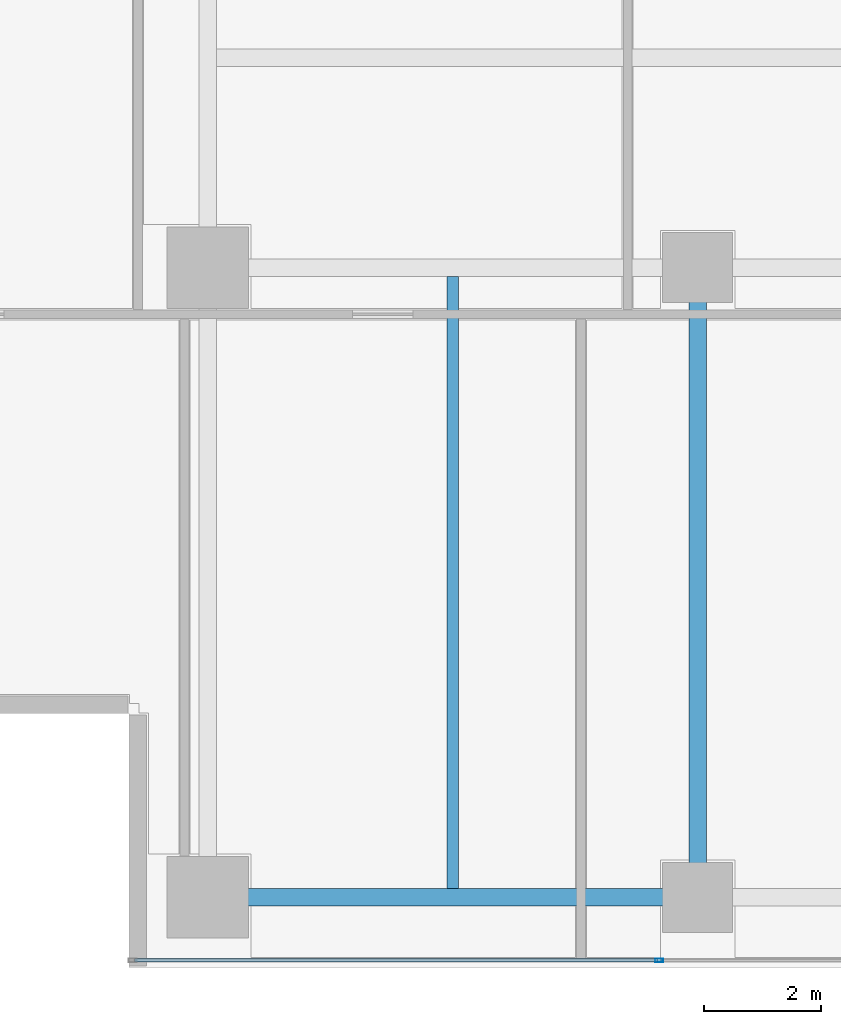
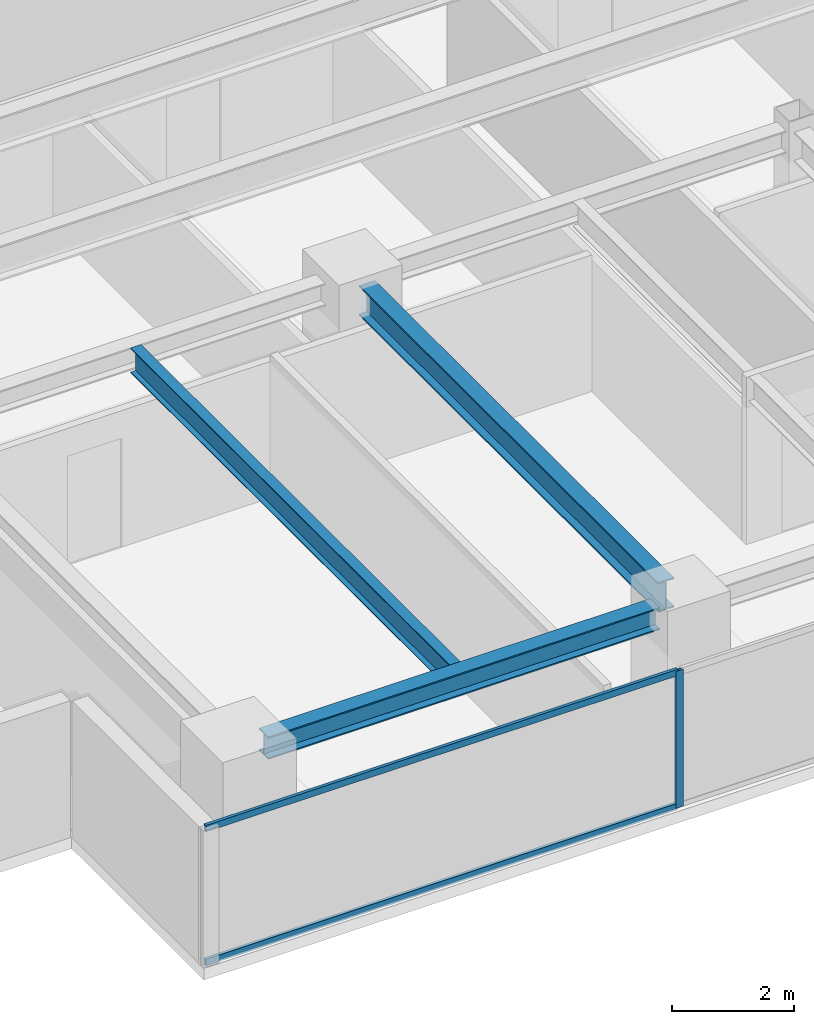
# One storey, part 3 of 25: 3 beams, 3 members, 1 element without a shape of its own.
"""IFC4 building model written with IfcOpenShell, lengths in metres."""

from ifc_helpers import new_model, si_unit, direction, frame, origin, origin_2d, place, context, subcontext, project, spatial, hollow_rectangle, i_section, extrude, source, transform, mapped, material, layer, layer_set, material_profile, profile_set, type_object, element, aggregate, save


model = new_model("IFC4")

# Units and contexts
model_context = context("Model", 3, precision=1e-05, world=origin(), true_north=direction((0.0, 1.0)))
body_context = subcontext(model_context, "Body", "Model", "MODEL_VIEW")
ifc_project = project(units=[si_unit("LENGTHUNIT", "METRE"), si_unit("AREAUNIT", "SQUARE_METRE"), si_unit("VOLUMEUNIT", "CUBIC_METRE"), si_unit("PLANEANGLEUNIT", "RADIAN"), si_unit("MASSUNIT", "GRAM", prefix="KILO")], contexts=[model_context])

# Site, building, storey
site_placement = place(None, origin())
site = spatial("IfcSite", under=ifc_project, at=site_placement, CompositionType="ELEMENT")
building_placement = place(site_placement, origin())
building = spatial("IfcBuilding", under=site, at=building_placement, Name="Sumidabori Civic Tower", CompositionType="ELEMENT")
storey_placement = place(building_placement, frame((0.0, 0.0, 246.800048828125)))
storey = spatial("IfcBuildingStorey", under=building, at=storey_placement, Name="L64", CompositionType="ELEMENT", Elevation=246.800048828125)

# Beams
ifc_material_1 = material(Name="Steel SN490", Category="steel")
ifc_material_profile_1 = material_profile(ifc_material_1, i_section(OverallWidth=0.300048828125, OverallDepth=0.60009765625, WebThickness=0.015380859375, FlangeThickness=0.030029296875, at=origin_2d()), Name="HE 600 B")
ifc_profile_set_1 = profile_set([ifc_material_profile_1], Name="Steel SN490")
beam_type_1 = type_object("IfcBeamType", Name="BM-GIRD-600", PredefinedType="BEAM", material=ifc_profile_set_1)
shared_shape_1 = source(origin(), body_context, "Body", "SweptSolid", [
    extrude(i_section(OverallWidth=0.300048828125, OverallDepth=0.60009765625, WebThickness=0.015380859375, FlangeThickness=0.030029296875, at=origin_2d()), origin(), (0.0, 0.0, 1.0), 9.840087890625),
])
beam_1_placement = place(storey_placement, frame((-8.39990234375, -10.320068359375, 3.070068359375), z_axis=(0.0, 1.0, 0.0), x_axis=(-1.0, 0.0, 0.0)))
element("IfcBeam", 1, at=beam_1_placement, inside=storey, type_object=beam_type_1, Name="Primary Girder L64 GY-12", PredefinedType="BEAM", context=body_context, shape_type="MappedRepresentation", body=[
    mapped(shared_shape_1, transform((0.0, 0.0, 0.0), x_axis=(1.0, 0.0, 0.0), y_axis=(0.0, 1.0, 0.0), z_axis=(0.0, 0.0, 1.0), scale=1.0)),
])
ifc_material_profile_2 = material_profile(ifc_material_1, i_section(OverallWidth=0.300048828125, OverallDepth=0.449951171875, WebThickness=0.013916015625, FlangeThickness=0.02587890625, at=origin_2d()), Name="HE 450 B")
ifc_profile_set_2 = profile_set([ifc_material_profile_2], Name="Steel SN490")
beam_type_2 = type_object("IfcBeamType", Name="BM-GIRD-450", PredefinedType="BEAM", material=ifc_profile_set_2)
shared_shape_2 = source(origin(), body_context, "Body", "SweptSolid", [
    extrude(i_section(OverallWidth=0.300048828125, OverallDepth=0.449951171875, WebThickness=0.013916015625, FlangeThickness=0.02587890625, at=origin_2d()), origin(), (0.0, 0.0, 1.0), 7.440185546875),
])
beam_2_placement = place(storey_placement, frame((-16.320068359375, -10.800048828125, 3.14501953125), z_axis=(1.0, 0.0, 0.0), x_axis=(0.0, 1.0, 0.0)))
element("IfcBeam", 2, at=beam_2_placement, inside=storey, type_object=beam_type_2, Name="Primary Girder L64 GX-01", PredefinedType="BEAM", context=body_context, shape_type="MappedRepresentation", body=[
    mapped(shared_shape_2, transform((0.0, 0.0, 0.0), x_axis=(1.0, 0.0, 0.0), y_axis=(0.0, 1.0, 0.0), z_axis=(0.0, 0.0, 1.0), scale=1.0)),
])
ifc_material_profile_3 = material_profile(ifc_material_1, i_section(OverallWidth=0.199951171875, OverallDepth=0.5, WebThickness=0.01025390625, FlangeThickness=0.01611328125, at=origin_2d()), Name="IPE 500")
ifc_profile_set_3 = profile_set([ifc_material_profile_3], Name="Steel SN490")
beam_type_3 = type_object("IfcBeamType", Name="BM-JST-500", PredefinedType="JOIST", material=ifc_profile_set_3)
shared_shape_3 = source(origin(), body_context, "Body", "SweptSolid", [
    extrude(i_section(OverallWidth=0.199951171875, OverallDepth=0.5, WebThickness=0.01025390625, FlangeThickness=0.01611328125, at=origin_2d()), origin(), (0.0, 0.0, 1.0), 10.5),
])
beam_3_placement = place(storey_placement, frame((-12.60009765625, -10.64990234375, 3.119873046875), z_axis=(0.0, 1.0, 0.0), x_axis=(-1.0, 0.0, 0.0)))
element("IfcBeam", 3, at=beam_3_placement, inside=storey, type_object=beam_type_3, Name="Upper Lens N-S Floor Joist L64 JSTV-20", PredefinedType="JOIST", context=body_context, shape_type="MappedRepresentation", body=[
    mapped(shared_shape_3, transform((0.0, 0.0, 0.0), x_axis=(1.0, 0.0, 0.0), y_axis=(0.0, 1.0, 0.0), z_axis=(0.0, 0.0, 1.0), scale=1.0)),
])

# Curtain wall, members
ifc_material_2 = material(Name="Anodised Bronze Aluminium AW-6063-T6", Category="aluminium")
ifc_layer = layer(ifc_material_2, 0.179931640625, Name="Anodised Bronze Aluminium AW-6063-T6")
ifc_layer_set = layer_set([ifc_layer], Name="Anodised Bronze Aluminium AW-6063-T6")
curtain_wall_type = type_object("IfcCurtainWallType", Name="CW-SYS-5", PredefinedType="NOTDEFINED", material=ifc_layer_set)
curtain_wall_placement = place(storey_placement, origin())
curtain_wall = element("IfcCurtainWall", 4, at=curtain_wall_placement, inside=storey, type_object=curtain_wall_type, Name="Curtain Wall CW:L64:R01", PredefinedType="NOTDEFINED")
ifc_material_profile_4 = material_profile(ifc_material_2, hollow_rectangle(XDim=0.06005859375, YDim=0.139892578125, WallThickness=0.0048828125, at=origin_2d()), Name="ALU MULLION 140x60")
ifc_profile_set_4 = profile_set([ifc_material_profile_4], Name="Anodised Bronze Aluminium AW-6063-T6")
member_type_1 = type_object("IfcMemberType", Name="CW-MUL-140", PredefinedType="MULLION", material=ifc_profile_set_4)
shared_shape_4 = source(origin(), body_context, "Body", "SweptSolid", [
    extrude(hollow_rectangle(XDim=0.06005859375, YDim=0.139892578125, WallThickness=0.0048828125, at=origin_2d()), origin(), (0.0, 0.0, 1.0), 2.75),
])
member_1_placement = place(storey_placement, frame((-9.06005859375, -11.8798828125, 0.0), z_axis=(0.0, 0.0, 1.0), x_axis=(0.0, 1.0, 0.0)))
member_1 = element("IfcMember", 5, at=member_1_placement, type_object=member_type_1, Name="CW-5 mullion 2", PredefinedType="MULLION", context=body_context, shape_type="MappedRepresentation", body=[
    mapped(shared_shape_4, transform((0.0, 0.0, 0.0), x_axis=(1.0, 0.0, 0.0), y_axis=(0.0, 1.0, 0.0), z_axis=(0.0, 0.0, 1.0), scale=1.0)),
])
ifc_material_profile_5 = material_profile(ifc_material_2, hollow_rectangle(XDim=0.06005859375, YDim=0.1298828125, WallThickness=0.0048828125, at=origin_2d()), Name="ALU TRANSOM 130x60")
ifc_profile_set_5 = profile_set([ifc_material_profile_5], Name="Anodised Bronze Aluminium AW-6063-T6")
member_type_2 = type_object("IfcMemberType", Name="CW-TRN-130", PredefinedType="USERDEFINED", material=ifc_profile_set_5)
shared_shape_5 = source(origin(), body_context, "Body", "SweptSolid", [
    extrude(hollow_rectangle(XDim=0.06005859375, YDim=0.1298828125, WallThickness=0.0048828125, at=origin_2d()), origin(), (0.0, 0.0, 1.0), 8.969970703125),
])
member_2_placement = place(storey_placement, frame((-18.06005859375, -11.8798828125, 0.030029296875), z_axis=(1.0, 0.0, 0.0), x_axis=(0.0, 1.0, 0.0)))
member_2 = element("IfcMember", 6, at=member_2_placement, type_object=member_type_2, Name="CW-5 transom 1.1", ObjectType="TRANSOM", PredefinedType="USERDEFINED", context=body_context, shape_type="MappedRepresentation", body=[
    mapped(shared_shape_5, transform((0.0, 0.0, 0.0), x_axis=(1.0, 0.0, 0.0), y_axis=(0.0, 1.0, 0.0), z_axis=(0.0, 0.0, 1.0), scale=1.0)),
])
member_3_placement = place(storey_placement, frame((-18.06005859375, -11.8798828125, 2.719970703125), z_axis=(1.0, 0.0, 0.0), x_axis=(0.0, 1.0, 0.0)))
member_3 = element("IfcMember", 7, at=member_3_placement, type_object=member_type_2, Name="CW-5 transom 1.2", ObjectType="TRANSOM", PredefinedType="USERDEFINED", context=body_context, shape_type="MappedRepresentation", body=[
    mapped(shared_shape_5, transform((0.0, 0.0, 0.0), x_axis=(1.0, 0.0, 0.0), y_axis=(0.0, 1.0, 0.0), z_axis=(0.0, 0.0, 1.0), scale=1.0)),
])
aggregate(curtain_wall, [member_1, member_2, member_3])

save(model, "model.ifc")
